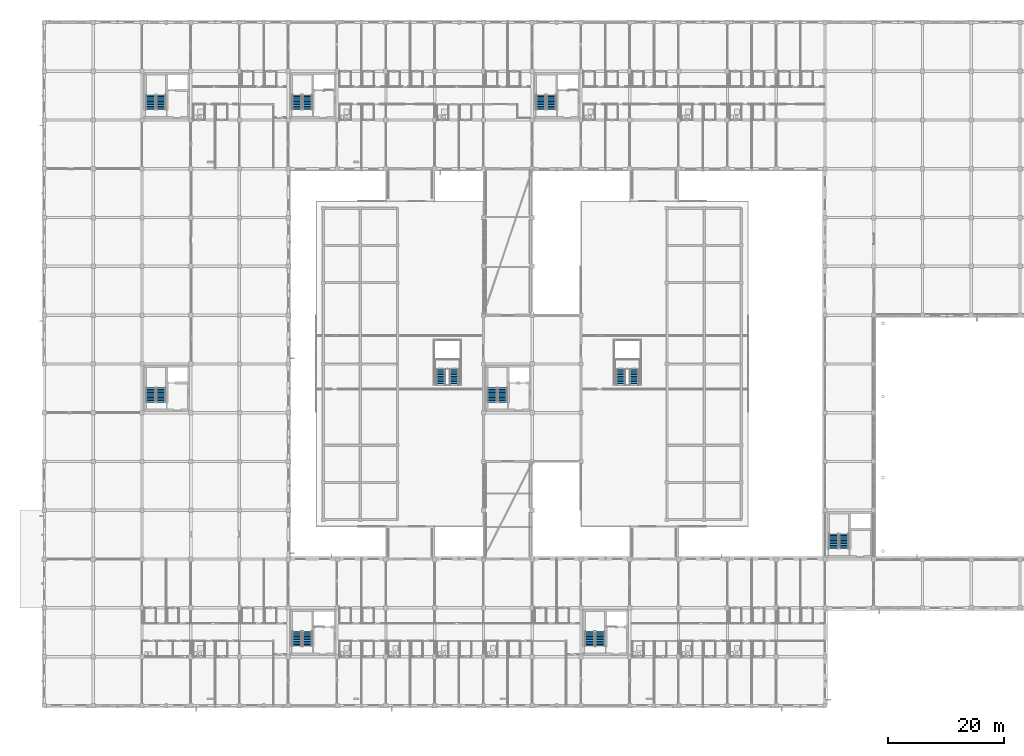
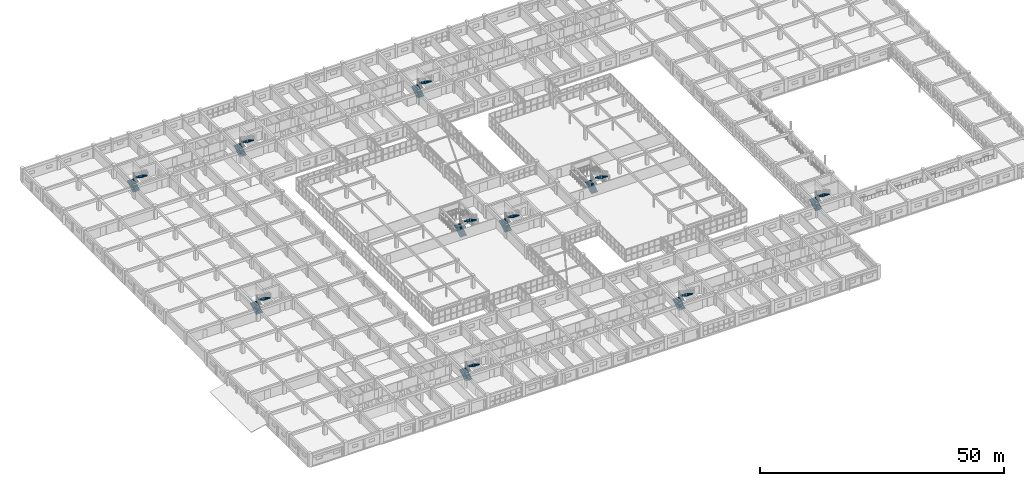
# One storey, part 186 of 200: 20 stair flights, 10 elements without a shape of their own.
"""IFC4 building model written with IfcOpenShell, lengths in metres."""

from ifc_helpers import new_model, si_unit, direction, frame, origin, place, context, subcontext, project, spatial, polyline, outline, extrude, material, type_object, element, aggregate, save


model = new_model("IFC4")

# Units and contexts
model_context = context("Model", 3, precision=1e-05, world=origin(), true_north=direction((0.0, 1.0)))
body_context = subcontext(model_context, "Body", "Model", "MODEL_VIEW")
ifc_project = project(units=[si_unit("LENGTHUNIT", "METRE"), si_unit("AREAUNIT", "SQUARE_METRE"), si_unit("VOLUMEUNIT", "CUBIC_METRE"), si_unit("PLANEANGLEUNIT", "RADIAN"), si_unit("MASSUNIT", "GRAM", prefix="KILO")], contexts=[model_context])

# Site, building, storey
site_placement = place(None, origin())
site = spatial("IfcSite", under=ifc_project, at=site_placement, CompositionType="ELEMENT")
building_placement = place(site_placement, origin())
building = spatial("IfcBuilding", under=site, at=building_placement, Name="Trelvath General Hospital", CompositionType="ELEMENT")
storey_placement = place(building_placement, frame((0.0, 0.0, 4.800048828125)))
storey = spatial("IfcBuildingStorey", under=building, at=storey_placement, Name="L01", CompositionType="ELEMENT", Elevation=4.800048828125)

# Stair, stair flights
ifc_material_1 = material(Name="Concrete C35/45", Category="concrete")
stair_type_1 = type_object("IfcStairType", Name="Stair PublicCube330", PredefinedType="TWO_STRAIGHT_RUN_STAIR", material=ifc_material_1)
stair_1_placement = place(storey_placement, origin())
stair_1 = element("IfcStair", 1, at=stair_1_placement, inside=storey, type_object=stair_type_1, Name="Public Cube Feature Stair ST9 L01", PredefinedType="TWO_STRAIGHT_RUN_STAIR")
ifc_material_2 = material(Name="Concrete C35/45", Category="concrete")
stair_flight_type_1 = type_object("IfcStairFlightType", Name="Flight PublicCube330", PredefinedType="STRAIGHT", material=ifc_material_2)
stair_flight_1_placement = place(storey_placement, frame((68.25, 55.169921875, 0.0), z_axis=(0.0, 0.0, 1.0), x_axis=(0.0, 1.0, 0.0)))
stair_flight_1 = element("IfcStairFlight", 2, at=stair_flight_1_placement, type_object=stair_flight_type_1, Name="ST9-L01 flight 1", NumberOfRisers=10, NumberOfTreads=9, PredefinedType="STRAIGHT", RiserHeight=0.165, TreadLength=0.3, context=body_context, shape_type="SweptSolid", body=[
    extrude(outline(polyline([(0.0, 0.0), (0.0, 0.1650390625), (0.300048828125, 0.1650390625), (0.300048828125, 0.330078125), (0.60009765625, 0.330078125), (0.60009765625, 0.4951171875), (0.89990234375, 0.4951171875), (0.89990234375, 0.659912109375), (1.199951171875, 0.659912109375), (1.199951171875, 0.824951171875), (1.5, 0.824951171875), (1.5, 0.989990234375), (1.800048828125, 0.989990234375), (1.800048828125, 1.155029296875), (2.10009765625, 1.155029296875), (2.10009765625, 1.320068359375), (2.39990234375, 1.320068359375), (2.39990234375, 1.485107421875), (2.699951171875, 1.485107421875), (2.699951171875, 1.64990234375), (2.699951171875, 1.302490234375), (0.331787109375, 0.0), (0.0, 0.0)])), frame((0.0, 0.77001953125, 0.0), z_axis=(0.0, -1.0, 0.0), x_axis=(1.0, 0.0, 0.0)), (0.0, 0.0, 1.0), 1.5400390625),
])
stair_flight_2_placement = place(storey_placement, frame((70.550048828125, 57.8701171875, 1.64990234375), z_axis=(0.0, 0.0, 1.0), x_axis=(0.0, -1.0, 0.0)))
stair_flight_2 = element("IfcStairFlight", 3, at=stair_flight_2_placement, type_object=stair_flight_type_1, Name="ST9-L01 flight 2", NumberOfRisers=10, NumberOfTreads=9, PredefinedType="STRAIGHT", RiserHeight=0.165, TreadLength=0.3, context=body_context, shape_type="SweptSolid", body=[
    extrude(outline(polyline([(0.0, 0.0), (0.0, 0.1650390625), (0.300048828125, 0.1650390625), (0.300048828125, 0.330078125), (0.60009765625, 0.330078125), (0.60009765625, 0.4951171875), (0.89990234375, 0.4951171875), (0.89990234375, 0.659912109375), (1.199951171875, 0.659912109375), (1.199951171875, 0.824951171875), (1.5, 0.824951171875), (1.5, 0.989990234375), (1.800048828125, 0.989990234375), (1.800048828125, 1.155029296875), (2.10009765625, 1.155029296875), (2.10009765625, 1.320068359375), (2.39990234375, 1.320068359375), (2.39990234375, 1.485107421875), (2.699951171875, 1.485107421875), (2.699951171875, 1.64990234375), (2.699951171875, 1.302490234375), (0.331787109375, 0.0), (0.0, 0.0)])), frame((0.0, 0.77001953125, 0.0), z_axis=(0.0, -1.0, 0.0), x_axis=(1.0, 0.0, 0.0)), (0.0, 0.0, 1.0), 1.5400390625),
])
aggregate(stair_1, [stair_flight_1, stair_flight_2])

stair_2_placement = place(storey_placement, origin())
stair_2 = element("IfcStair", 4, at=stair_2_placement, inside=storey, type_object=stair_type_1, Name="Public Cube Feature Stair ST10 L01", PredefinedType="TWO_STRAIGHT_RUN_STAIR")
stair_flight_3_placement = place(storey_placement, frame((99.25, 55.169921875, 0.0), z_axis=(0.0, 0.0, 1.0), x_axis=(0.0, 1.0, 0.0)))
stair_flight_3 = element("IfcStairFlight", 5, at=stair_flight_3_placement, type_object=stair_flight_type_1, Name="ST10-L01 flight 1", NumberOfRisers=10, NumberOfTreads=9, PredefinedType="STRAIGHT", RiserHeight=0.165, TreadLength=0.3, context=body_context, shape_type="SweptSolid", body=[
    extrude(outline(polyline([(0.0, 0.0), (0.0, 0.1650390625), (0.300048828125, 0.1650390625), (0.300048828125, 0.330078125), (0.60009765625, 0.330078125), (0.60009765625, 0.4951171875), (0.89990234375, 0.4951171875), (0.89990234375, 0.659912109375), (1.199951171875, 0.659912109375), (1.199951171875, 0.824951171875), (1.5, 0.824951171875), (1.5, 0.989990234375), (1.800048828125, 0.989990234375), (1.800048828125, 1.155029296875), (2.10009765625, 1.155029296875), (2.10009765625, 1.320068359375), (2.39990234375, 1.320068359375), (2.39990234375, 1.485107421875), (2.699951171875, 1.485107421875), (2.699951171875, 1.64990234375), (2.699951171875, 1.302490234375), (0.331787109375, 0.0), (0.0, 0.0)])), frame((0.0, 0.77001953125, 0.0), z_axis=(0.0, -1.0, 0.0), x_axis=(1.0, 0.0, 0.0)), (0.0, 0.0, 1.0), 1.5400390625),
])
stair_flight_4_placement = place(storey_placement, frame((101.550048828125, 57.8701171875, 1.64990234375), z_axis=(0.0, 0.0, 1.0), x_axis=(0.0, -1.0, 0.0)))
stair_flight_4 = element("IfcStairFlight", 6, at=stair_flight_4_placement, type_object=stair_flight_type_1, Name="ST10-L01 flight 2", NumberOfRisers=10, NumberOfTreads=9, PredefinedType="STRAIGHT", RiserHeight=0.165, TreadLength=0.3, context=body_context, shape_type="SweptSolid", body=[
    extrude(outline(polyline([(0.0, 0.0), (0.0, 0.1650390625), (0.300048828125, 0.1650390625), (0.300048828125, 0.330078125), (0.60009765625, 0.330078125), (0.60009765625, 0.4951171875), (0.89990234375, 0.4951171875), (0.89990234375, 0.659912109375), (1.199951171875, 0.659912109375), (1.199951171875, 0.824951171875), (1.5, 0.824951171875), (1.5, 0.989990234375), (1.800048828125, 0.989990234375), (1.800048828125, 1.155029296875), (2.10009765625, 1.155029296875), (2.10009765625, 1.320068359375), (2.39990234375, 1.320068359375), (2.39990234375, 1.485107421875), (2.699951171875, 1.485107421875), (2.699951171875, 1.64990234375), (2.699951171875, 1.302490234375), (0.331787109375, 0.0), (0.0, 0.0)])), frame((0.0, 0.77001953125, 0.0), z_axis=(0.0, -1.0, 0.0), x_axis=(1.0, 0.0, 0.0)), (0.0, 0.0, 1.0), 1.5400390625),
])
aggregate(stair_2, [stair_flight_3, stair_flight_4])

ifc_material_3 = material(Name="Concrete C35/45", Category="concrete")
stair_type_2 = type_object("IfcStairType", Name="Stair Stretcher330", PredefinedType="TWO_STRAIGHT_RUN_STAIR", material=ifc_material_3)
stair_3_placement = place(storey_placement, origin())
stair_3 = element("IfcStair", 7, at=stair_3_placement, inside=storey, type_object=stair_type_2, Name="Exit Stair ST1 L01", PredefinedType="TWO_STRAIGHT_RUN_STAIR")
ifc_material_4 = material(Name="Concrete C35/45", Category="concrete")
stair_flight_type_2 = type_object("IfcStairFlightType", Name="Flight Stretcher330", PredefinedType="STRAIGHT", material=ifc_material_4)
stair_flight_5_placement = place(storey_placement, frame((43.5, 102.60009765625, 0.0), z_axis=(0.0, 0.0, 1.0), x_axis=(0.0, 1.0, 0.0)))
stair_flight_5 = element("IfcStairFlight", 8, at=stair_flight_5_placement, type_object=stair_flight_type_2, Name="ST1-L01 flight 1", NumberOfRisers=10, NumberOfTreads=9, PredefinedType="STRAIGHT", RiserHeight=0.165, TreadLength=0.28, context=body_context, shape_type="SweptSolid", body=[
    extrude(outline(polyline([(0.0, 0.0), (0.0, 0.1650390625), (0.280029296875, 0.1650390625), (0.280029296875, 0.330078125), (0.56005859375, 0.330078125), (0.56005859375, 0.4951171875), (0.840087890625, 0.4951171875), (0.840087890625, 0.659912109375), (1.1201171875, 0.659912109375), (1.1201171875, 0.824951171875), (1.39990234375, 0.824951171875), (1.39990234375, 0.989990234375), (1.679931640625, 0.989990234375), (1.679931640625, 1.155029296875), (1.9599609375, 1.155029296875), (1.9599609375, 1.320068359375), (2.239990234375, 1.320068359375), (2.239990234375, 1.485107421875), (2.52001953125, 1.485107421875), (2.52001953125, 1.64990234375), (2.52001953125, 1.29931640625), (0.31494140625, 0.0), (0.0, 0.0)])), frame((0.0, 0.81005859375, 0.0), z_axis=(0.0, -1.0, 0.0), x_axis=(1.0, 0.0, 0.0)), (0.0, 0.0, 1.0), 1.6201171875),
])
stair_flight_6_placement = place(storey_placement, frame((45.300048828125, 105.1201171875, 1.64990234375), z_axis=(0.0, 0.0, 1.0), x_axis=(0.0, -1.0, 0.0)))
stair_flight_6 = element("IfcStairFlight", 9, at=stair_flight_6_placement, type_object=stair_flight_type_2, Name="ST1-L01 flight 2", NumberOfRisers=10, NumberOfTreads=9, PredefinedType="STRAIGHT", RiserHeight=0.165, TreadLength=0.28, context=body_context, shape_type="SweptSolid", body=[
    extrude(outline(polyline([(0.0, 0.0), (0.0, 0.1650390625), (0.280029296875, 0.1650390625), (0.280029296875, 0.330078125), (0.56005859375, 0.330078125), (0.56005859375, 0.4951171875), (0.840087890625, 0.4951171875), (0.840087890625, 0.659912109375), (1.1201171875, 0.659912109375), (1.1201171875, 0.824951171875), (1.39990234375, 0.824951171875), (1.39990234375, 0.989990234375), (1.679931640625, 0.989990234375), (1.679931640625, 1.155029296875), (1.9599609375, 1.155029296875), (1.9599609375, 1.320068359375), (2.239990234375, 1.320068359375), (2.239990234375, 1.485107421875), (2.52001953125, 1.485107421875), (2.52001953125, 1.64990234375), (2.52001953125, 1.29931640625), (0.31494140625, 0.0), (0.0, 0.0)])), frame((0.0, 0.81005859375, 0.0), z_axis=(0.0, -1.0, 0.0), x_axis=(1.0, 0.0, 0.0)), (0.0, 0.0, 1.0), 1.6201171875),
])
aggregate(stair_3, [stair_flight_5, stair_flight_6])

stair_4_placement = place(storey_placement, origin())
stair_4 = element("IfcStair", 10, at=stair_4_placement, inside=storey, type_object=stair_type_2, Name="Exit Stair ST2 L01", PredefinedType="TWO_STRAIGHT_RUN_STAIR")
stair_flight_7_placement = place(storey_placement, frame((85.5, 102.60009765625, 0.0), z_axis=(0.0, 0.0, 1.0), x_axis=(0.0, 1.0, 0.0)))
stair_flight_7 = element("IfcStairFlight", 11, at=stair_flight_7_placement, type_object=stair_flight_type_2, Name="ST2-L01 flight 1", NumberOfRisers=10, NumberOfTreads=9, PredefinedType="STRAIGHT", RiserHeight=0.165, TreadLength=0.28, context=body_context, shape_type="SweptSolid", body=[
    extrude(outline(polyline([(0.0, 0.0), (0.0, 0.1650390625), (0.280029296875, 0.1650390625), (0.280029296875, 0.330078125), (0.56005859375, 0.330078125), (0.56005859375, 0.4951171875), (0.840087890625, 0.4951171875), (0.840087890625, 0.659912109375), (1.1201171875, 0.659912109375), (1.1201171875, 0.824951171875), (1.39990234375, 0.824951171875), (1.39990234375, 0.989990234375), (1.679931640625, 0.989990234375), (1.679931640625, 1.155029296875), (1.9599609375, 1.155029296875), (1.9599609375, 1.320068359375), (2.239990234375, 1.320068359375), (2.239990234375, 1.485107421875), (2.52001953125, 1.485107421875), (2.52001953125, 1.64990234375), (2.52001953125, 1.29931640625), (0.31494140625, 0.0), (0.0, 0.0)])), frame((0.0, 0.81005859375, 0.0), z_axis=(0.0, -1.0, 0.0), x_axis=(1.0, 0.0, 0.0)), (0.0, 0.0, 1.0), 1.6201171875),
])
stair_flight_8_placement = place(storey_placement, frame((87.300048828125, 105.1201171875, 1.64990234375), z_axis=(0.0, 0.0, 1.0), x_axis=(0.0, -1.0, 0.0)))
stair_flight_8 = element("IfcStairFlight", 12, at=stair_flight_8_placement, type_object=stair_flight_type_2, Name="ST2-L01 flight 2", NumberOfRisers=10, NumberOfTreads=9, PredefinedType="STRAIGHT", RiserHeight=0.165, TreadLength=0.28, context=body_context, shape_type="SweptSolid", body=[
    extrude(outline(polyline([(0.0, 0.0), (0.0, 0.1650390625), (0.280029296875, 0.1650390625), (0.280029296875, 0.330078125), (0.56005859375, 0.330078125), (0.56005859375, 0.4951171875), (0.840087890625, 0.4951171875), (0.840087890625, 0.659912109375), (1.1201171875, 0.659912109375), (1.1201171875, 0.824951171875), (1.39990234375, 0.824951171875), (1.39990234375, 0.989990234375), (1.679931640625, 0.989990234375), (1.679931640625, 1.155029296875), (1.9599609375, 1.155029296875), (1.9599609375, 1.320068359375), (2.239990234375, 1.320068359375), (2.239990234375, 1.485107421875), (2.52001953125, 1.485107421875), (2.52001953125, 1.64990234375), (2.52001953125, 1.29931640625), (0.31494140625, 0.0), (0.0, 0.0)])), frame((0.0, 0.81005859375, 0.0), z_axis=(0.0, -1.0, 0.0), x_axis=(1.0, 0.0, 0.0)), (0.0, 0.0, 1.0), 1.6201171875),
])
aggregate(stair_4, [stair_flight_7, stair_flight_8])

stair_5_placement = place(storey_placement, origin())
stair_5 = element("IfcStair", 13, at=stair_5_placement, inside=storey, type_object=stair_type_2, Name="Exit Stair ST3 L01", PredefinedType="TWO_STRAIGHT_RUN_STAIR")
stair_flight_9_placement = place(storey_placement, frame((18.300048828125, 102.60009765625, 0.0), z_axis=(0.0, 0.0, 1.0), x_axis=(0.0, 1.0, 0.0)))
stair_flight_9 = element("IfcStairFlight", 14, at=stair_flight_9_placement, type_object=stair_flight_type_2, Name="ST3-L01 flight 1", NumberOfRisers=10, NumberOfTreads=9, PredefinedType="STRAIGHT", RiserHeight=0.165, TreadLength=0.28, context=body_context, shape_type="SweptSolid", body=[
    extrude(outline(polyline([(0.0, 0.0), (0.0, 0.1650390625), (0.280029296875, 0.1650390625), (0.280029296875, 0.330078125), (0.56005859375, 0.330078125), (0.56005859375, 0.4951171875), (0.840087890625, 0.4951171875), (0.840087890625, 0.659912109375), (1.1201171875, 0.659912109375), (1.1201171875, 0.824951171875), (1.39990234375, 0.824951171875), (1.39990234375, 0.989990234375), (1.679931640625, 0.989990234375), (1.679931640625, 1.155029296875), (1.9599609375, 1.155029296875), (1.9599609375, 1.320068359375), (2.239990234375, 1.320068359375), (2.239990234375, 1.485107421875), (2.52001953125, 1.485107421875), (2.52001953125, 1.64990234375), (2.52001953125, 1.29931640625), (0.31494140625, 0.0), (0.0, 0.0)])), frame((0.0, 0.81005859375, 0.0), z_axis=(0.0, -1.0, 0.0), x_axis=(1.0, 0.0, 0.0)), (0.0, 0.0, 1.0), 1.6201171875),
])
stair_flight_10_placement = place(storey_placement, frame((20.10009765625, 105.1201171875, 1.64990234375), z_axis=(0.0, 0.0, 1.0), x_axis=(0.0, -1.0, 0.0)))
stair_flight_10 = element("IfcStairFlight", 15, at=stair_flight_10_placement, type_object=stair_flight_type_2, Name="ST3-L01 flight 2", NumberOfRisers=10, NumberOfTreads=9, PredefinedType="STRAIGHT", RiserHeight=0.165, TreadLength=0.28, context=body_context, shape_type="SweptSolid", body=[
    extrude(outline(polyline([(0.0, 0.0), (0.0, 0.1650390625), (0.280029296875, 0.1650390625), (0.280029296875, 0.330078125), (0.56005859375, 0.330078125), (0.56005859375, 0.4951171875), (0.840087890625, 0.4951171875), (0.840087890625, 0.659912109375), (1.1201171875, 0.659912109375), (1.1201171875, 0.824951171875), (1.39990234375, 0.824951171875), (1.39990234375, 0.989990234375), (1.679931640625, 0.989990234375), (1.679931640625, 1.155029296875), (1.9599609375, 1.155029296875), (1.9599609375, 1.320068359375), (2.239990234375, 1.320068359375), (2.239990234375, 1.485107421875), (2.52001953125, 1.485107421875), (2.52001953125, 1.64990234375), (2.52001953125, 1.29931640625), (0.31494140625, 0.0), (0.0, 0.0)])), frame((0.0, 0.81005859375, 0.0), z_axis=(0.0, -1.0, 0.0), x_axis=(1.0, 0.0, 0.0)), (0.0, 0.0, 1.0), 1.6201171875),
])
aggregate(stair_5, [stair_flight_9, stair_flight_10])

stair_6_placement = place(storey_placement, origin())
stair_6 = element("IfcStair", 16, at=stair_6_placement, inside=storey, type_object=stair_type_2, Name="Exit Stair ST4 L01", PredefinedType="TWO_STRAIGHT_RUN_STAIR")
stair_flight_11_placement = place(storey_placement, frame((43.5, 10.199951171875, 0.0), z_axis=(0.0, 0.0, 1.0), x_axis=(0.0, 1.0, 0.0)))
stair_flight_11 = element("IfcStairFlight", 17, at=stair_flight_11_placement, type_object=stair_flight_type_2, Name="ST4-L01 flight 1", NumberOfRisers=10, NumberOfTreads=9, PredefinedType="STRAIGHT", RiserHeight=0.165, TreadLength=0.28, context=body_context, shape_type="SweptSolid", body=[
    extrude(outline(polyline([(0.0, 0.0), (0.0, 0.1650390625), (0.280029296875, 0.1650390625), (0.280029296875, 0.330078125), (0.56005859375, 0.330078125), (0.56005859375, 0.4951171875), (0.840087890625, 0.4951171875), (0.840087890625, 0.659912109375), (1.1201171875, 0.659912109375), (1.1201171875, 0.824951171875), (1.39990234375, 0.824951171875), (1.39990234375, 0.989990234375), (1.679931640625, 0.989990234375), (1.679931640625, 1.155029296875), (1.9599609375, 1.155029296875), (1.9599609375, 1.320068359375), (2.239990234375, 1.320068359375), (2.239990234375, 1.485107421875), (2.52001953125, 1.485107421875), (2.52001953125, 1.64990234375), (2.52001953125, 1.29931640625), (0.31494140625, 0.0), (0.0, 0.0)])), frame((0.0, 0.81005859375, 0.0), z_axis=(0.0, -1.0, 0.0), x_axis=(1.0, 0.0, 0.0)), (0.0, 0.0, 1.0), 1.6201171875),
])
stair_flight_12_placement = place(storey_placement, frame((45.300048828125, 12.719970703125, 1.64990234375), z_axis=(0.0, 0.0, 1.0), x_axis=(0.0, -1.0, 0.0)))
stair_flight_12 = element("IfcStairFlight", 18, at=stair_flight_12_placement, type_object=stair_flight_type_2, Name="ST4-L01 flight 2", NumberOfRisers=10, NumberOfTreads=9, PredefinedType="STRAIGHT", RiserHeight=0.165, TreadLength=0.28, context=body_context, shape_type="SweptSolid", body=[
    extrude(outline(polyline([(0.0, 0.0), (0.0, 0.1650390625), (0.280029296875, 0.1650390625), (0.280029296875, 0.330078125), (0.56005859375, 0.330078125), (0.56005859375, 0.4951171875), (0.840087890625, 0.4951171875), (0.840087890625, 0.659912109375), (1.1201171875, 0.659912109375), (1.1201171875, 0.824951171875), (1.39990234375, 0.824951171875), (1.39990234375, 0.989990234375), (1.679931640625, 0.989990234375), (1.679931640625, 1.155029296875), (1.9599609375, 1.155029296875), (1.9599609375, 1.320068359375), (2.239990234375, 1.320068359375), (2.239990234375, 1.485107421875), (2.52001953125, 1.485107421875), (2.52001953125, 1.64990234375), (2.52001953125, 1.29931640625), (0.31494140625, 0.0), (0.0, 0.0)])), frame((0.0, 0.81005859375, 0.0), z_axis=(0.0, -1.0, 0.0), x_axis=(1.0, 0.0, 0.0)), (0.0, 0.0, 1.0), 1.6201171875),
])
aggregate(stair_6, [stair_flight_11, stair_flight_12])

stair_7_placement = place(storey_placement, origin())
stair_7 = element("IfcStair", 19, at=stair_7_placement, inside=storey, type_object=stair_type_2, Name="Exit Stair ST5 L01", PredefinedType="TWO_STRAIGHT_RUN_STAIR")
stair_flight_13_placement = place(storey_placement, frame((93.89990234375, 10.199951171875, 0.0), z_axis=(0.0, 0.0, 1.0), x_axis=(0.0, 1.0, 0.0)))
stair_flight_13 = element("IfcStairFlight", 20, at=stair_flight_13_placement, type_object=stair_flight_type_2, Name="ST5-L01 flight 1", NumberOfRisers=10, NumberOfTreads=9, PredefinedType="STRAIGHT", RiserHeight=0.165, TreadLength=0.28, context=body_context, shape_type="SweptSolid", body=[
    extrude(outline(polyline([(0.0, 0.0), (0.0, 0.1650390625), (0.280029296875, 0.1650390625), (0.280029296875, 0.330078125), (0.56005859375, 0.330078125), (0.56005859375, 0.4951171875), (0.840087890625, 0.4951171875), (0.840087890625, 0.659912109375), (1.1201171875, 0.659912109375), (1.1201171875, 0.824951171875), (1.39990234375, 0.824951171875), (1.39990234375, 0.989990234375), (1.679931640625, 0.989990234375), (1.679931640625, 1.155029296875), (1.9599609375, 1.155029296875), (1.9599609375, 1.320068359375), (2.239990234375, 1.320068359375), (2.239990234375, 1.485107421875), (2.52001953125, 1.485107421875), (2.52001953125, 1.64990234375), (2.52001953125, 1.29931640625), (0.31494140625, 0.0), (0.0, 0.0)])), frame((0.0, 0.81005859375, 0.0), z_axis=(0.0, -1.0, 0.0), x_axis=(1.0, 0.0, 0.0)), (0.0, 0.0, 1.0), 1.6201171875),
])
stair_flight_14_placement = place(storey_placement, frame((95.699951171875, 12.719970703125, 1.64990234375), z_axis=(0.0, 0.0, 1.0), x_axis=(0.0, -1.0, 0.0)))
stair_flight_14 = element("IfcStairFlight", 21, at=stair_flight_14_placement, type_object=stair_flight_type_2, Name="ST5-L01 flight 2", NumberOfRisers=10, NumberOfTreads=9, PredefinedType="STRAIGHT", RiserHeight=0.165, TreadLength=0.28, context=body_context, shape_type="SweptSolid", body=[
    extrude(outline(polyline([(0.0, 0.0), (0.0, 0.1650390625), (0.280029296875, 0.1650390625), (0.280029296875, 0.330078125), (0.56005859375, 0.330078125), (0.56005859375, 0.4951171875), (0.840087890625, 0.4951171875), (0.840087890625, 0.659912109375), (1.1201171875, 0.659912109375), (1.1201171875, 0.824951171875), (1.39990234375, 0.824951171875), (1.39990234375, 0.989990234375), (1.679931640625, 0.989990234375), (1.679931640625, 1.155029296875), (1.9599609375, 1.155029296875), (1.9599609375, 1.320068359375), (2.239990234375, 1.320068359375), (2.239990234375, 1.485107421875), (2.52001953125, 1.485107421875), (2.52001953125, 1.64990234375), (2.52001953125, 1.29931640625), (0.31494140625, 0.0), (0.0, 0.0)])), frame((0.0, 0.81005859375, 0.0), z_axis=(0.0, -1.0, 0.0), x_axis=(1.0, 0.0, 0.0)), (0.0, 0.0, 1.0), 1.6201171875),
])
aggregate(stair_7, [stair_flight_13, stair_flight_14])

stair_8_placement = place(storey_placement, origin())
stair_8 = element("IfcStair", 22, at=stair_8_placement, inside=storey, type_object=stair_type_2, Name="Exit Stair ST6 L01", PredefinedType="TWO_STRAIGHT_RUN_STAIR")
stair_flight_15_placement = place(storey_placement, frame((77.10009765625, 52.199951171875, 0.0), z_axis=(0.0, 0.0, 1.0), x_axis=(0.0, 1.0, 0.0)))
stair_flight_15 = element("IfcStairFlight", 23, at=stair_flight_15_placement, type_object=stair_flight_type_2, Name="ST6-L01 flight 1", NumberOfRisers=10, NumberOfTreads=9, PredefinedType="STRAIGHT", RiserHeight=0.165, TreadLength=0.28, context=body_context, shape_type="SweptSolid", body=[
    extrude(outline(polyline([(0.0, 0.0), (0.0, 0.1650390625), (0.280029296875, 0.1650390625), (0.280029296875, 0.330078125), (0.56005859375, 0.330078125), (0.56005859375, 0.4951171875), (0.840087890625, 0.4951171875), (0.840087890625, 0.659912109375), (1.1201171875, 0.659912109375), (1.1201171875, 0.824951171875), (1.39990234375, 0.824951171875), (1.39990234375, 0.989990234375), (1.679931640625, 0.989990234375), (1.679931640625, 1.155029296875), (1.9599609375, 1.155029296875), (1.9599609375, 1.320068359375), (2.239990234375, 1.320068359375), (2.239990234375, 1.485107421875), (2.52001953125, 1.485107421875), (2.52001953125, 1.64990234375), (2.52001953125, 1.29931640625), (0.31494140625, 0.0), (0.0, 0.0)])), frame((0.0, 0.81005859375, 0.0), z_axis=(0.0, -1.0, 0.0), x_axis=(1.0, 0.0, 0.0)), (0.0, 0.0, 1.0), 1.6201171875),
])
stair_flight_16_placement = place(storey_placement, frame((78.89990234375, 54.719970703125, 1.64990234375), z_axis=(0.0, 0.0, 1.0), x_axis=(0.0, -1.0, 0.0)))
stair_flight_16 = element("IfcStairFlight", 24, at=stair_flight_16_placement, type_object=stair_flight_type_2, Name="ST6-L01 flight 2", NumberOfRisers=10, NumberOfTreads=9, PredefinedType="STRAIGHT", RiserHeight=0.165, TreadLength=0.28, context=body_context, shape_type="SweptSolid", body=[
    extrude(outline(polyline([(0.0, 0.0), (0.0, 0.1650390625), (0.280029296875, 0.1650390625), (0.280029296875, 0.330078125), (0.56005859375, 0.330078125), (0.56005859375, 0.4951171875), (0.840087890625, 0.4951171875), (0.840087890625, 0.659912109375), (1.1201171875, 0.659912109375), (1.1201171875, 0.824951171875), (1.39990234375, 0.824951171875), (1.39990234375, 0.989990234375), (1.679931640625, 0.989990234375), (1.679931640625, 1.155029296875), (1.9599609375, 1.155029296875), (1.9599609375, 1.320068359375), (2.239990234375, 1.320068359375), (2.239990234375, 1.485107421875), (2.52001953125, 1.485107421875), (2.52001953125, 1.64990234375), (2.52001953125, 1.29931640625), (0.31494140625, 0.0), (0.0, 0.0)])), frame((0.0, 0.81005859375, 0.0), z_axis=(0.0, -1.0, 0.0), x_axis=(1.0, 0.0, 0.0)), (0.0, 0.0, 1.0), 1.6201171875),
])
aggregate(stair_8, [stair_flight_15, stair_flight_16])

stair_9_placement = place(storey_placement, origin())
stair_9 = element("IfcStair", 25, at=stair_9_placement, inside=storey, type_object=stair_type_2, Name="Exit Stair ST7 L01", PredefinedType="TWO_STRAIGHT_RUN_STAIR")
stair_flight_17_placement = place(storey_placement, frame((135.89990234375, 27.0, 0.0), z_axis=(0.0, 0.0, 1.0), x_axis=(0.0, 1.0, 0.0)))
stair_flight_17 = element("IfcStairFlight", 26, at=stair_flight_17_placement, type_object=stair_flight_type_2, Name="ST7-L01 flight 1", NumberOfRisers=10, NumberOfTreads=9, PredefinedType="STRAIGHT", RiserHeight=0.165, TreadLength=0.28, context=body_context, shape_type="SweptSolid", body=[
    extrude(outline(polyline([(0.0, 0.0), (0.0, 0.1650390625), (0.280029296875, 0.1650390625), (0.280029296875, 0.330078125), (0.56005859375, 0.330078125), (0.56005859375, 0.4951171875), (0.840087890625, 0.4951171875), (0.840087890625, 0.659912109375), (1.1201171875, 0.659912109375), (1.1201171875, 0.824951171875), (1.39990234375, 0.824951171875), (1.39990234375, 0.989990234375), (1.679931640625, 0.989990234375), (1.679931640625, 1.155029296875), (1.9599609375, 1.155029296875), (1.9599609375, 1.320068359375), (2.239990234375, 1.320068359375), (2.239990234375, 1.485107421875), (2.52001953125, 1.485107421875), (2.52001953125, 1.64990234375), (2.52001953125, 1.29931640625), (0.31494140625, 0.0), (0.0, 0.0)])), frame((0.0, 0.81005859375, 0.0), z_axis=(0.0, -1.0, 0.0), x_axis=(1.0, 0.0, 0.0)), (0.0, 0.0, 1.0), 1.6201171875),
])
stair_flight_18_placement = place(storey_placement, frame((137.699951171875, 29.52001953125, 1.64990234375), z_axis=(0.0, 0.0, 1.0), x_axis=(0.0, -1.0, 0.0)))
stair_flight_18 = element("IfcStairFlight", 27, at=stair_flight_18_placement, type_object=stair_flight_type_2, Name="ST7-L01 flight 2", NumberOfRisers=10, NumberOfTreads=9, PredefinedType="STRAIGHT", RiserHeight=0.165, TreadLength=0.28, context=body_context, shape_type="SweptSolid", body=[
    extrude(outline(polyline([(0.0, 0.0), (0.0, 0.1650390625), (0.280029296875, 0.1650390625), (0.280029296875, 0.330078125), (0.56005859375, 0.330078125), (0.56005859375, 0.4951171875), (0.840087890625, 0.4951171875), (0.840087890625, 0.659912109375), (1.1201171875, 0.659912109375), (1.1201171875, 0.824951171875), (1.39990234375, 0.824951171875), (1.39990234375, 0.989990234375), (1.679931640625, 0.989990234375), (1.679931640625, 1.155029296875), (1.9599609375, 1.155029296875), (1.9599609375, 1.320068359375), (2.239990234375, 1.320068359375), (2.239990234375, 1.485107421875), (2.52001953125, 1.485107421875), (2.52001953125, 1.64990234375), (2.52001953125, 1.29931640625), (0.31494140625, 0.0), (0.0, 0.0)])), frame((0.0, 0.81005859375, 0.0), z_axis=(0.0, -1.0, 0.0), x_axis=(1.0, 0.0, 0.0)), (0.0, 0.0, 1.0), 1.6201171875),
])
aggregate(stair_9, [stair_flight_17, stair_flight_18])

stair_10_placement = place(storey_placement, origin())
stair_10 = element("IfcStair", 28, at=stair_10_placement, inside=storey, type_object=stair_type_2, Name="Exit Stair ST8 L01", PredefinedType="TWO_STRAIGHT_RUN_STAIR")
stair_flight_19_placement = place(storey_placement, frame((18.300048828125, 52.199951171875, 0.0), z_axis=(0.0, 0.0, 1.0), x_axis=(0.0, 1.0, 0.0)))
stair_flight_19 = element("IfcStairFlight", 29, at=stair_flight_19_placement, type_object=stair_flight_type_2, Name="ST8-L01 flight 1", NumberOfRisers=10, NumberOfTreads=9, PredefinedType="STRAIGHT", RiserHeight=0.165, TreadLength=0.28, context=body_context, shape_type="SweptSolid", body=[
    extrude(outline(polyline([(0.0, 0.0), (0.0, 0.1650390625), (0.280029296875, 0.1650390625), (0.280029296875, 0.330078125), (0.56005859375, 0.330078125), (0.56005859375, 0.4951171875), (0.840087890625, 0.4951171875), (0.840087890625, 0.659912109375), (1.1201171875, 0.659912109375), (1.1201171875, 0.824951171875), (1.39990234375, 0.824951171875), (1.39990234375, 0.989990234375), (1.679931640625, 0.989990234375), (1.679931640625, 1.155029296875), (1.9599609375, 1.155029296875), (1.9599609375, 1.320068359375), (2.239990234375, 1.320068359375), (2.239990234375, 1.485107421875), (2.52001953125, 1.485107421875), (2.52001953125, 1.64990234375), (2.52001953125, 1.29931640625), (0.31494140625, 0.0), (0.0, 0.0)])), frame((0.0, 0.81005859375, 0.0), z_axis=(0.0, -1.0, 0.0), x_axis=(1.0, 0.0, 0.0)), (0.0, 0.0, 1.0), 1.6201171875),
])
stair_flight_20_placement = place(storey_placement, frame((20.10009765625, 54.719970703125, 1.64990234375), z_axis=(0.0, 0.0, 1.0), x_axis=(0.0, -1.0, 0.0)))
stair_flight_20 = element("IfcStairFlight", 30, at=stair_flight_20_placement, type_object=stair_flight_type_2, Name="ST8-L01 flight 2", NumberOfRisers=10, NumberOfTreads=9, PredefinedType="STRAIGHT", RiserHeight=0.165, TreadLength=0.28, context=body_context, shape_type="SweptSolid", body=[
    extrude(outline(polyline([(0.0, 0.0), (0.0, 0.1650390625), (0.280029296875, 0.1650390625), (0.280029296875, 0.330078125), (0.56005859375, 0.330078125), (0.56005859375, 0.4951171875), (0.840087890625, 0.4951171875), (0.840087890625, 0.659912109375), (1.1201171875, 0.659912109375), (1.1201171875, 0.824951171875), (1.39990234375, 0.824951171875), (1.39990234375, 0.989990234375), (1.679931640625, 0.989990234375), (1.679931640625, 1.155029296875), (1.9599609375, 1.155029296875), (1.9599609375, 1.320068359375), (2.239990234375, 1.320068359375), (2.239990234375, 1.485107421875), (2.52001953125, 1.485107421875), (2.52001953125, 1.64990234375), (2.52001953125, 1.29931640625), (0.31494140625, 0.0), (0.0, 0.0)])), frame((0.0, 0.81005859375, 0.0), z_axis=(0.0, -1.0, 0.0), x_axis=(1.0, 0.0, 0.0)), (0.0, 0.0, 1.0), 1.6201171875),
])
aggregate(stair_10, [stair_flight_19, stair_flight_20])

save(model, "model.ifc")
